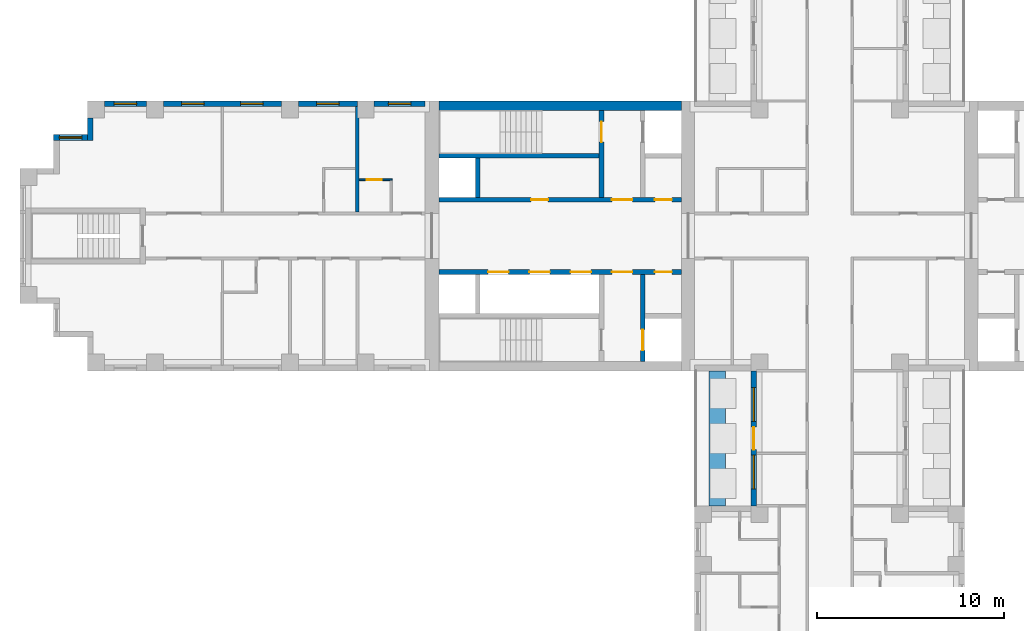
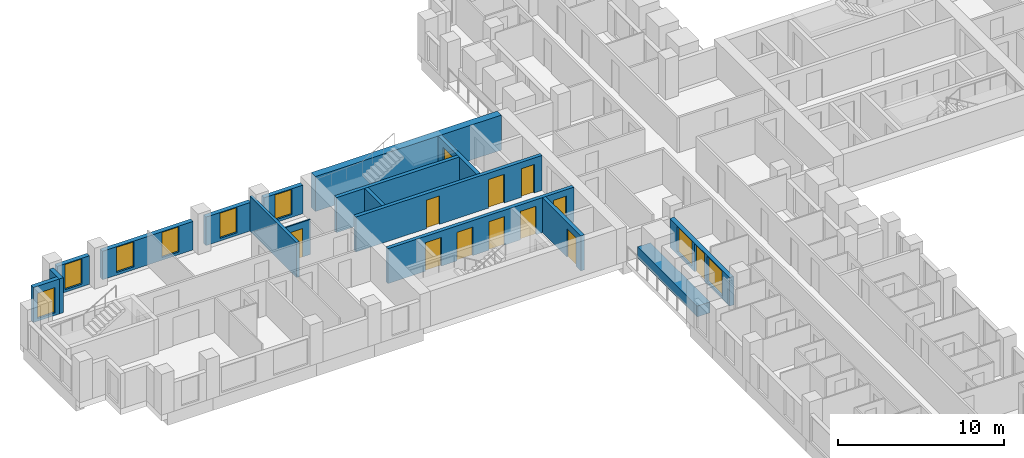
# One storey, part 7 of 14: 17 walls, 12 doors, 8 windows, 20 openings.
"""IFC4 building model written with IfcOpenShell, lengths in metres."""

from ifc_helpers import new_model, si_unit, direction, frame, frame_2d, origin, place, context, subcontext, project, spatial, rectangle, extrude, material, layer, layer_set, type_object, element, fill, save


model = new_model("IFC4")

# Units and contexts
model_context = context("Model", 3, precision=1e-05, world=origin(), true_north=direction((0.0, 1.0)))
body_context = subcontext(model_context, "Body", "Model", "MODEL_VIEW")
ifc_project = project(units=[si_unit("LENGTHUNIT", "METRE"), si_unit("AREAUNIT", "SQUARE_METRE"), si_unit("VOLUMEUNIT", "CUBIC_METRE"), si_unit("PLANEANGLEUNIT", "RADIAN"), si_unit("MASSUNIT", "GRAM", prefix="KILO")], contexts=[model_context])

# Site, building, storey
site_placement = place(None, origin())
site = spatial("IfcSite", under=ifc_project, at=site_placement, CompositionType="ELEMENT")
building_placement = place(site_placement, origin())
building = spatial("IfcBuilding", under=site, at=building_placement, Name="Fustian Cross Tower", CompositionType="ELEMENT")
storey_placement = place(building_placement, frame((0.0, 0.0, 69.89990234375)))
storey = spatial("IfcBuildingStorey", under=building, at=storey_placement, Name="L21", CompositionType="ELEMENT", Elevation=69.89990234375)

# Wall
ifc_material_1 = material(Name="Concrete C70/85", Category="concrete")
ifc_layer_1 = layer(ifc_material_1, 0.5)
ifc_layer_set_1 = layer_set([ifc_layer_1], Name="Concrete C70/85")
wall_type_1 = type_object("IfcWallType", Name="CORE FACADE WALL 500 C70/85", PredefinedType="SHEAR", material=ifc_layer_set_1)
wall_1_placement = place(storey_placement, frame((-7.89990234375, 6.949951171875, 0.0), z_axis=(0.0, 0.0, 1.0), x_axis=(-1.0, 0.0, 0.0)))
element("IfcWall", 1, at=wall_1_placement, inside=storey, type_object=wall_type_1, Name="Core facade wall", PredefinedType="SHEAR", context=body_context, shape_type="SweptSolid", body=[
    extrude(rectangle(XDim=12.9501953125, YDim=0.5, at=frame_2d((6.47509765625, 0.0))), origin(), (0.0, 0.0, 1.0), 2.5751953125),
])

# Wall, openings, doors
ifc_material_2 = material(Name="Concrete C50/60", Category="concrete")
ifc_layer_2 = layer(ifc_material_2, 0.25)
ifc_layer_set_2 = layer_set([ifc_layer_2], Name="Concrete C50/60")
wall_type_2 = type_object("IfcWallType", Name="CORE LOBBY WALL 250 C50/60", PredefinedType="SHEAR", material=ifc_layer_set_2)
wall_2_placement = place(storey_placement, frame((-7.89990234375, 1.925048828125, 0.0), z_axis=(0.0, 0.0, 1.0), x_axis=(-1.0, 0.0, 0.0)))
wall_2 = element("IfcWall", 2, at=wall_2_placement, inside=storey, type_object=wall_type_2, Name="Core lobby wall", PredefinedType="SHEAR", context=body_context, shape_type="SweptSolid", body=[
    extrude(rectangle(XDim=12.9501953125, YDim=0.25, at=frame_2d((6.47509765625, 0.0))), origin(), (0.0, 0.0, 1.0), 2.5751953125),
])
opening_1_placement = place(wall_2_placement, frame((0.52490234375, 0.0, 0.0)))
opening_1 = element("IfcOpeningElement", 3, at=opening_1_placement, cuts=wall_2, Name="Opening CD-09-22", PredefinedType="OPENING", context=body_context, shape_type="SweptSolid", body=[
    extrude(rectangle(XDim=0.89990234375, YDim=2.10009765625, at=frame_2d((0.449951171875, 1.050048828125))), frame((0.0, 0.135009765625, 0.0), z_axis=(0.0, -1.0, 0.0), x_axis=(1.0, 0.0, 0.0)), (0.0, 0.0, 1.0), 0.27001953125),
])
opening_2_placement = place(wall_2_placement, frame((2.625, 0.0, 0.0)))
opening_2 = element("IfcOpeningElement", 4, at=opening_2_placement, cuts=wall_2, Name="Opening CD-09-24", PredefinedType="OPENING", context=body_context, shape_type="SweptSolid", body=[
    extrude(rectangle(XDim=1.10009765625, YDim=2.10009765625, at=frame_2d((0.550048828125, 1.050048828125))), frame((0.0, 0.135009765625, 0.0), z_axis=(0.0, -1.0, 0.0), x_axis=(1.0, 0.0, 0.0)), (0.0, 0.0, 1.0), 0.27001953125),
])
opening_3_placement = place(wall_2_placement, frame((7.125, 0.0, 0.0)))
opening_3 = element("IfcOpeningElement", 5, at=opening_3_placement, cuts=wall_2, Name="Opening CD-09-28", PredefinedType="OPENING", context=body_context, shape_type="SweptSolid", body=[
    extrude(rectangle(XDim=0.89990234375, YDim=2.10009765625, at=frame_2d((0.449951171875, 1.050048828125))), frame((0.0, 0.135009765625, 0.0), z_axis=(0.0, -1.0, 0.0), x_axis=(1.0, 0.0, 0.0)), (0.0, 0.0, 1.0), 0.27001953125),
])
ifc_material_3 = material(Name="Steel", Category="steel")
door_type_1 = type_object("IfcDoorType", Name="FIRE DOOR FD30S 900X2100", OperationType="SINGLE_SWING_LEFT", PredefinedType="DOOR", material=ifc_material_3)
door_1_placement = place(opening_3_placement, frame((0.89990234375, 0.0, 0.0), z_axis=(0.0, 0.0, 1.0), x_axis=(-1.0, 0.0, 0.0)))
door_1 = element("IfcDoor", 6, at=door_1_placement, inside=storey, type_object=door_type_1, Name="Core door CD-09-28", OperationType="SINGLE_SWING_RIGHT", OverallHeight=2.10009765625, OverallWidth=0.89990234375, PredefinedType="DOOR", context=body_context, shape_type="SweptSolid", body=[
    extrude(rectangle(XDim=0.89990234375, YDim=2.10009765625, at=frame_2d((0.449951171875, 1.050048828125))), frame((0.0, 0.02490234375, 0.0), z_axis=(0.0, -1.0, 0.0), x_axis=(1.0, 0.0, 0.0)), (0.0, 0.0, 1.0), 0.050048828125),
])
fill(opening_3, door_1)
ifc_material_4 = material(Name="Steel", Category="steel")
door_type_2 = type_object("IfcDoorType", Name="FIRE DOOR FD60S 1100X2100", OperationType="SINGLE_SWING_LEFT", PredefinedType="DOOR", material=ifc_material_4)
door_2_placement = place(opening_2_placement, frame((1.10009765625, 0.0, 0.0), z_axis=(0.0, 0.0, 1.0), x_axis=(-1.0, 0.0, 0.0)))
door_2 = element("IfcDoor", 7, at=door_2_placement, inside=storey, type_object=door_type_2, Name="Core door CD-09-24", OperationType="SINGLE_SWING_RIGHT", OverallHeight=2.10009765625, OverallWidth=1.10009765625, PredefinedType="DOOR", context=body_context, shape_type="SweptSolid", body=[
    extrude(rectangle(XDim=1.10009765625, YDim=2.10009765625, at=frame_2d((0.550048828125, 1.050048828125))), frame((0.0, 0.02490234375, 0.0), z_axis=(0.0, -1.0, 0.0), x_axis=(1.0, 0.0, 0.0)), (0.0, 0.0, 1.0), 0.050048828125),
])
fill(opening_2, door_2)
ifc_material_5 = material(Name="Steel", Category="steel")
door_type_3 = type_object("IfcDoorType", Name="FIRE DOOR FD60S 900X2100", OperationType="SINGLE_SWING_LEFT", PredefinedType="DOOR", material=ifc_material_5)
door_3_placement = place(opening_1_placement, frame((0.89990234375, 0.0, 0.0), z_axis=(0.0, 0.0, 1.0), x_axis=(-1.0, 0.0, 0.0)))
door_3 = element("IfcDoor", 8, at=door_3_placement, inside=storey, type_object=door_type_3, Name="Core door CD-09-22", OperationType="SINGLE_SWING_RIGHT", OverallHeight=2.10009765625, OverallWidth=0.89990234375, PredefinedType="DOOR", context=body_context, shape_type="SweptSolid", body=[
    extrude(rectangle(XDim=0.89990234375, YDim=2.10009765625, at=frame_2d((0.449951171875, 1.050048828125))), frame((0.0, 0.02490234375, 0.0), z_axis=(0.0, -1.0, 0.0), x_axis=(1.0, 0.0, 0.0)), (0.0, 0.0, 1.0), 0.050048828125),
])
fill(opening_1, door_3)

wall_3_placement = place(storey_placement, frame((-7.89990234375, -1.925048828125, 0.0), z_axis=(0.0, 0.0, 1.0), x_axis=(-1.0, 0.0, 0.0)))
wall_3 = element("IfcWall", 9, at=wall_3_placement, inside=storey, type_object=wall_type_2, Name="Core lobby wall", PredefinedType="SHEAR", context=body_context, shape_type="SweptSolid", body=[
    extrude(rectangle(XDim=12.9501953125, YDim=0.25, at=frame_2d((6.47509765625, 0.0))), origin(), (0.0, 0.0, 1.0), 2.5751953125),
])
opening_4_placement = place(wall_3_placement, frame((4.824951171875, 0.0, 0.0)))
opening_4 = element("IfcOpeningElement", 10, at=opening_4_placement, cuts=wall_3, Name="Opening LD", PredefinedType="OPENING", context=body_context, shape_type="SweptSolid", body=[
    extrude(rectangle(XDim=1.10009765625, YDim=2.10009765625, at=frame_2d((0.550048828125, 1.050048828125))), frame((0.0, 0.135009765625, 0.0), z_axis=(0.0, -1.0, 0.0), x_axis=(1.0, 0.0, 0.0)), (0.0, 0.0, 1.0), 0.27001953125),
])
opening_5_placement = place(wall_3_placement, frame((7.02490234375, 0.0, 0.0)))
opening_5 = element("IfcOpeningElement", 11, at=opening_5_placement, cuts=wall_3, Name="Opening LD", PredefinedType="OPENING", context=body_context, shape_type="SweptSolid", body=[
    extrude(rectangle(XDim=1.10009765625, YDim=2.10009765625, at=frame_2d((0.550048828125, 1.050048828125))), frame((0.0, 0.135009765625, 0.0), z_axis=(0.0, -1.0, 0.0), x_axis=(1.0, 0.0, 0.0)), (0.0, 0.0, 1.0), 0.27001953125),
])
opening_6_placement = place(wall_3_placement, frame((9.22509765625, 0.0, 0.0)))
opening_6 = element("IfcOpeningElement", 12, at=opening_6_placement, cuts=wall_3, Name="Opening LD", PredefinedType="OPENING", context=body_context, shape_type="SweptSolid", body=[
    extrude(rectangle(XDim=1.10009765625, YDim=2.10009765625, at=frame_2d((0.550048828125, 1.050048828125))), frame((0.0, 0.135009765625, 0.0), z_axis=(0.0, -1.0, 0.0), x_axis=(1.0, 0.0, 0.0)), (0.0, 0.0, 1.0), 0.27001953125),
])
opening_7_placement = place(wall_3_placement, frame((0.52490234375, 0.0, 0.0)))
opening_7 = element("IfcOpeningElement", 13, at=opening_7_placement, cuts=wall_3, Name="Opening CD-09-23", PredefinedType="OPENING", context=body_context, shape_type="SweptSolid", body=[
    extrude(rectangle(XDim=0.89990234375, YDim=2.10009765625, at=frame_2d((0.449951171875, 1.050048828125))), frame((0.0, 0.135009765625, 0.0), z_axis=(0.0, -1.0, 0.0), x_axis=(1.0, 0.0, 0.0)), (0.0, 0.0, 1.0), 0.27001953125),
])
opening_8_placement = place(wall_3_placement, frame((2.625, 0.0, 0.0)))
opening_8 = element("IfcOpeningElement", 14, at=opening_8_placement, cuts=wall_3, Name="Opening CD-09-25", PredefinedType="OPENING", context=body_context, shape_type="SweptSolid", body=[
    extrude(rectangle(XDim=1.10009765625, YDim=2.10009765625, at=frame_2d((0.550048828125, 1.050048828125))), frame((0.0, 0.135009765625, 0.0), z_axis=(0.0, -1.0, 0.0), x_axis=(1.0, 0.0, 0.0)), (0.0, 0.0, 1.0), 0.27001953125),
])
ifc_material_6 = material(Name="Steel", Category="steel")
door_type_4 = type_object("IfcDoorType", Name="FIRE DOOR FD30S 1100X2100", OperationType="SINGLE_SWING_LEFT", PredefinedType="DOOR", material=ifc_material_6)
door_4_placement = place(opening_8_placement, frame((1.10009765625, 0.0, 0.0), z_axis=(0.0, 0.0, 1.0), x_axis=(-1.0, 0.0, 0.0)))
door_4 = element("IfcDoor", 15, at=door_4_placement, inside=storey, type_object=door_type_4, Name="Core door CD-09-25", OperationType="SINGLE_SWING_RIGHT", OverallHeight=2.10009765625, OverallWidth=1.10009765625, PredefinedType="DOOR", context=body_context, shape_type="SweptSolid", body=[
    extrude(rectangle(XDim=1.10009765625, YDim=2.10009765625, at=frame_2d((0.550048828125, 1.050048828125))), frame((0.0, 0.02490234375, 0.0), z_axis=(0.0, -1.0, 0.0), x_axis=(1.0, 0.0, 0.0)), (0.0, 0.0, 1.0), 0.050048828125),
])
fill(opening_8, door_4)
door_5_placement = place(opening_7_placement, origin())
door_5 = element("IfcDoor", 16, at=door_5_placement, inside=storey, type_object=door_type_1, Name="Core door CD-09-23", OperationType="SINGLE_SWING_LEFT", OverallHeight=2.10009765625, OverallWidth=0.89990234375, PredefinedType="DOOR", context=body_context, shape_type="SweptSolid", body=[
    extrude(rectangle(XDim=0.89990234375, YDim=2.10009765625, at=frame_2d((0.449951171875, 1.050048828125))), frame((0.0, 0.02490234375, 0.0), z_axis=(0.0, -1.0, 0.0), x_axis=(1.0, 0.0, 0.0)), (0.0, 0.0, 1.0), 0.050048828125),
])
fill(opening_7, door_5)
ifc_material_7 = material(Name="Stainless steel", Category="steel")
door_type_5 = type_object("IfcDoorType", Name="LIFT LANDING DOOR 1100X2100", OperationType="SLIDING_TO_LEFT", PredefinedType="DOOR", material=ifc_material_7)
door_6_placement = place(opening_4_placement, origin())
door_6 = element("IfcDoor", 17, at=door_6_placement, inside=storey, type_object=door_type_5, Name="Landing door LR1W", OperationType="SLIDING_TO_LEFT", OverallHeight=2.10009765625, OverallWidth=1.10009765625, PredefinedType="DOOR", context=body_context, shape_type="SweptSolid", body=[
    extrude(rectangle(XDim=1.10009765625, YDim=2.10009765625, at=frame_2d((0.550048828125, 1.050048828125))), frame((0.0, 0.02490234375, 0.0), z_axis=(0.0, -1.0, 0.0), x_axis=(1.0, 0.0, 0.0)), (0.0, 0.0, 1.0), 0.050048828125),
])
fill(opening_4, door_6)
door_7_placement = place(opening_5_placement, origin())
door_7 = element("IfcDoor", 18, at=door_7_placement, inside=storey, type_object=door_type_5, Name="Landing door LR2W", OperationType="SLIDING_TO_LEFT", OverallHeight=2.10009765625, OverallWidth=1.10009765625, PredefinedType="DOOR", context=body_context, shape_type="SweptSolid", body=[
    extrude(rectangle(XDim=1.10009765625, YDim=2.10009765625, at=frame_2d((0.550048828125, 1.050048828125))), frame((0.0, 0.02490234375, 0.0), z_axis=(0.0, -1.0, 0.0), x_axis=(1.0, 0.0, 0.0)), (0.0, 0.0, 1.0), 0.050048828125),
])
fill(opening_5, door_7)
door_8_placement = place(opening_6_placement, origin())
door_8 = element("IfcDoor", 19, at=door_8_placement, inside=storey, type_object=door_type_5, Name="Landing door LR3W", OperationType="SLIDING_TO_LEFT", OverallHeight=2.10009765625, OverallWidth=1.10009765625, PredefinedType="DOOR", context=body_context, shape_type="SweptSolid", body=[
    extrude(rectangle(XDim=1.10009765625, YDim=2.10009765625, at=frame_2d((0.550048828125, 1.050048828125))), frame((0.0, 0.02490234375, 0.0), z_axis=(0.0, -1.0, 0.0), x_axis=(1.0, 0.0, 0.0)), (0.0, 0.0, 1.0), 0.050048828125),
])
fill(opening_6, door_8)

# Wall
ifc_material_8 = material(Name="Concrete C50/60", Category="concrete")
ifc_layer_3 = layer(ifc_material_8, 0.25)
ifc_layer_set_3 = layer_set([ifc_layer_3], Name="Concrete C50/60")
wall_type_3 = type_object("IfcWallType", Name="CORE SHAFT WALL 250 C50/60", PredefinedType="SHEAR", material=ifc_layer_set_3)
wall_4_placement = place(storey_placement, frame((-12.300048828125, 4.27490234375, 0.0), z_axis=(0.0, 0.0, 1.0), x_axis=(-1.0, 0.0, 0.0)))
element("IfcWall", 20, at=wall_4_placement, inside=storey, type_object=wall_type_3, Name="Core shaft wall", PredefinedType="SHEAR", context=body_context, shape_type="SweptSolid", body=[
    extrude(rectangle(XDim=8.550048828125, YDim=0.25, at=frame_2d((4.27490234375, 0.0))), origin(), (0.0, 0.0, 1.0), 2.5751953125),
])

# Wall, opening, door
wall_5_placement = place(storey_placement, frame((-12.175048828125, 2.050048828125, 0.0), z_axis=(0.0, 0.0, 1.0), x_axis=(0.0, 1.0, 0.0)))
wall_5 = element("IfcWall", 21, at=wall_5_placement, inside=storey, type_object=wall_type_3, Name="Core shaft wall", PredefinedType="SHEAR", context=body_context, shape_type="SweptSolid", body=[
    extrude(rectangle(XDim=4.64990234375, YDim=0.25, at=frame_2d((2.324951171875, 0.0))), origin(), (0.0, 0.0, 1.0), 2.5751953125),
])
opening_9_placement = place(wall_5_placement, frame((2.949951171875, 0.0, 0.0)))
opening_9 = element("IfcOpeningElement", 22, at=opening_9_placement, cuts=wall_5, Name="Opening CD-09-20", PredefinedType="OPENING", context=body_context, shape_type="SweptSolid", body=[
    extrude(rectangle(XDim=1.10009765625, YDim=2.10009765625, at=frame_2d((0.550048828125, 1.050048828125))), frame((0.0, 0.135009765625, 0.0), z_axis=(0.0, -1.0, 0.0), x_axis=(1.0, 0.0, 0.0)), (0.0, 0.0, 1.0), 0.27001953125),
])
door_9_placement = place(opening_9_placement, origin())
door_9 = element("IfcDoor", 23, at=door_9_placement, inside=storey, type_object=door_type_2, Name="Core door CD-09-20", OperationType="SINGLE_SWING_LEFT", OverallHeight=2.10009765625, OverallWidth=1.10009765625, PredefinedType="DOOR", context=body_context, shape_type="SweptSolid", body=[
    extrude(rectangle(XDim=1.10009765625, YDim=2.10009765625, at=frame_2d((0.550048828125, 1.050048828125))), frame((0.0, 0.02490234375, 0.0), z_axis=(0.0, -1.0, 0.0), x_axis=(1.0, 0.0, 0.0)), (0.0, 0.0, 1.0), 0.050048828125),
])
fill(opening_9, door_9)

wall_6_placement = place(storey_placement, frame((-9.97509765625, -2.050048828125, 0.0), z_axis=(0.0, 0.0, 1.0), x_axis=(0.0, -1.0, 0.0)))
wall_6 = element("IfcWall", 24, at=wall_6_placement, inside=storey, type_object=wall_type_3, Name="Core shaft wall", PredefinedType="SHEAR", context=body_context, shape_type="SweptSolid", body=[
    extrude(rectangle(XDim=4.64990234375, YDim=0.25, at=frame_2d((2.324951171875, 0.0))), origin(), (0.0, 0.0, 1.0), 2.5751953125),
])
opening_10_placement = place(wall_6_placement, frame((2.949951171875, 0.0, 0.0)))
opening_10 = element("IfcOpeningElement", 25, at=opening_10_placement, cuts=wall_6, Name="Opening LD", PredefinedType="OPENING", context=body_context, shape_type="SweptSolid", body=[
    extrude(rectangle(XDim=1.10009765625, YDim=2.10009765625, at=frame_2d((0.550048828125, 1.050048828125))), frame((0.0, 0.135009765625, 0.0), z_axis=(0.0, -1.0, 0.0), x_axis=(1.0, 0.0, 0.0)), (0.0, 0.0, 1.0), 0.27001953125),
])
door_10_placement = place(opening_10_placement, origin())
door_10 = element("IfcDoor", 26, at=door_10_placement, inside=storey, type_object=door_type_5, Name="Landing door SV1W", OperationType="SLIDING_TO_LEFT", OverallHeight=2.10009765625, OverallWidth=1.10009765625, PredefinedType="DOOR", context=body_context, shape_type="SweptSolid", body=[
    extrude(rectangle(XDim=1.10009765625, YDim=2.10009765625, at=frame_2d((0.550048828125, 1.050048828125))), frame((0.0, 0.02490234375, 0.0), z_axis=(0.0, -1.0, 0.0), x_axis=(1.0, 0.0, 0.0)), (0.0, 0.0, 1.0), 0.050048828125),
])
fill(opening_10, door_10)

ifc_material_9 = material(Name="Plasterboard on steel stud", Category="steel")
ifc_layer_4 = layer(ifc_material_9, 0.10009765625)
ifc_layer_set_4 = layer_set([ifc_layer_4], Name="Plasterboard on steel stud")
wall_type_4 = type_object("IfcWallType", Name="PARTITION 100 STUD", PredefinedType="PARTITIONING", material=ifc_layer_set_4)
wall_7_placement = place(storey_placement, frame((-25.10009765625, 3.0, 0.0), z_axis=(0.0, 0.0, 1.0), x_axis=(1.0, 0.0, 0.0)))
wall_7 = element("IfcWall", 27, at=wall_7_placement, inside=storey, type_object=wall_type_4, Name="Partition 14", PredefinedType="PARTITIONING", context=body_context, shape_type="SweptSolid", body=[
    extrude(rectangle(XDim=1.75, YDim=0.10009765625, at=frame_2d((0.875, 0.0))), origin(), (0.0, 0.0, 1.0), 2.5751953125),
])
opening_11_placement = place(wall_7_placement, frame((0.39990234375, 0.0, 0.0)))
opening_11 = element("IfcOpeningElement", 28, at=opening_11_placement, cuts=wall_7, Name="Opening D11031", PredefinedType="OPENING", context=body_context, shape_type="SweptSolid", body=[
    extrude(rectangle(XDim=0.800048828125, YDim=2.10009765625, at=frame_2d((0.39990234375, 1.050048828125))), frame((0.0, 0.06005859375, 0.0), z_axis=(0.0, -1.0, 0.0), x_axis=(1.0, 0.0, 0.0)), (0.0, 0.0, 1.0), 0.1201171875),
])
ifc_material_10 = material(Name="Painted timber", Category="wood")
door_type_6 = type_object("IfcDoorType", Name="SWING DOOR 800", OperationType="SINGLE_SWING_LEFT", PredefinedType="DOOR", material=ifc_material_10)
door_11_placement = place(opening_11_placement, frame((0.800048828125, 0.0, 0.0), z_axis=(0.0, 0.0, 1.0), x_axis=(-1.0, 0.0, 0.0)))
door_11 = element("IfcDoor", 29, at=door_11_placement, inside=storey, type_object=door_type_6, Name="Door D11031", OperationType="SINGLE_SWING_LEFT", OverallHeight=2.10009765625, OverallWidth=0.800048828125, PredefinedType="DOOR", context=body_context, shape_type="SweptSolid", body=[
    extrude(rectangle(XDim=0.800048828125, YDim=2.10009765625, at=frame_2d((0.39990234375, 1.050048828125))), frame((0.0, 0.02490234375, 0.0), z_axis=(0.0, -1.0, 0.0), x_axis=(1.0, 0.0, 0.0)), (0.0, 0.0, 1.0), 0.050048828125),
])
fill(opening_11, door_11)

# Walls
ifc_material_11 = material(Name="Plasterboard on steel stud", Category="steel")
ifc_layer_5 = layer(ifc_material_11, 0.199951171875)
ifc_layer_set_5 = layer_set([ifc_layer_5], Name="Plasterboard on steel stud")
wall_type_5 = type_object("IfcWallType", Name="PARTY WALL 200 EI 60", PredefinedType="PARTITIONING", material=ifc_layer_set_5)
wall_8_placement = place(storey_placement, frame((-25.199951171875, 1.27490234375, 0.0), z_axis=(0.0, 0.0, 1.0), x_axis=(0.0, 1.0, 0.0)))
element("IfcWall", 30, at=wall_8_placement, inside=storey, type_object=wall_type_5, Name="Partition 13", PredefinedType="PARTITIONING", context=body_context, shape_type="SweptSolid", body=[
    extrude(rectangle(XDim=5.625, YDim=0.199951171875, at=frame_2d((2.8125, 0.0))), origin(), (0.0, 0.0, 1.0), 2.5751953125),
])
ifc_material_12 = material(Name="Concrete C40/50", Category="concrete")
ifc_layer_6 = layer(ifc_material_12, 0.89990234375)
ifc_layer_set_6 = layer_set([ifc_layer_6], Name="Concrete C40/50")
wall_type_6 = type_object("IfcWallType", Name="PK1 PLANTER 900", PredefinedType="PARAPET", material=ifc_layer_set_6)
wall_9_placement = place(storey_placement, frame((-6.0, -14.39990234375, 0.0), z_axis=(0.0, 0.0, 1.0), x_axis=(0.0, 1.0, 0.0)))
element("IfcWall", 31, at=wall_9_placement, inside=storey, type_object=wall_type_6, Name="PLANTER", PredefinedType="PARAPET", context=body_context, shape_type="SweptSolid", body=[
    extrude(rectangle(XDim=7.199951171875, YDim=0.89990234375, at=frame_2d((3.60009765625, 0.0))), origin(), (0.0, 0.0, 1.0), 0.800048828125),
])
ifc_material_13 = material(Name="Concrete C40/50", Category="concrete")
ifc_layer_7 = layer(ifc_material_13, 0.25)
ifc_layer_set_7 = layer_set([ifc_layer_7], Name="Concrete C40/50")
wall_type_7 = type_object("IfcWallType", Name="SHAFT PARTITION WALL 250 C40/50", PredefinedType="PARTITIONING", material=ifc_layer_set_7)
wall_10_placement = place(storey_placement, frame((-18.77490234375, 2.050048828125, 0.0), z_axis=(0.0, 0.0, 1.0), x_axis=(0.0, 1.0, 0.0)))
element("IfcWall", 32, at=wall_10_placement, inside=storey, type_object=wall_type_7, Name="Core shaft wall", PredefinedType="PARTITIONING", context=body_context, shape_type="SweptSolid", body=[
    extrude(rectangle(XDim=2.099853515625, YDim=0.25, at=frame_2d((1.0498046875, 0.0))), origin(), (0.0, 0.0, 1.0), 2.5751953125),
])

# Wall, opening, window
ifc_material_14 = material(Name="Dark aluminium cladding on insulated backing wall", Category="aluminium")
ifc_layer_8 = layer(ifc_material_14, 0.300048828125)
ifc_layer_set_8 = layer_set([ifc_layer_8], Name="Dark aluminium cladding on insulated backing wall")
wall_type_8 = type_object("IfcWallType", Name="XW1 EXTERNAL WALL 300", PredefinedType="SOLIDWALL", material=ifc_layer_set_8)
wall_11_placement = place(storey_placement, frame((-21.60009765625, 7.050048828125, 0.0), z_axis=(0.0, 0.0, 1.0), x_axis=(-1.0, 0.0, 0.0)))
wall_11 = element("IfcWall", 33, at=wall_11_placement, inside=storey, type_object=wall_type_8, Name="External wall", PredefinedType="SOLIDWALL", context=body_context, shape_type="SweptSolid", body=[
    extrude(rectangle(XDim=2.699951171875, YDim=0.300048828125, at=frame_2d((1.35009765625, 0.0))), origin(), (0.0, 0.0, 1.0), 2.10009765625),
])
opening_12_placement = place(wall_11_placement, frame((0.75, 0.0, 0.199951171875)))
opening_12 = element("IfcOpeningElement", 34, at=opening_12_placement, cuts=wall_11, Name="Opening WN3", PredefinedType="OPENING", context=body_context, shape_type="SweptSolid", body=[
    extrude(rectangle(XDim=1.199951171875, YDim=1.85009765625, at=frame_2d((0.60009765625, 0.925048828125))), frame((0.0, 0.159912109375, 0.0), z_axis=(0.0, -1.0, 0.0), x_axis=(1.0, 0.0, 0.0)), (0.0, 0.0, 1.0), 0.320068359375),
])
ifc_material_15 = material(Name="Dark anodised aluminium and double glazing", Category="aluminium")
window_type_1 = type_object("IfcWindowType", Name="WN3 WINDOW 1200X1850", PartitioningType="SINGLE_PANEL", PredefinedType="WINDOW", material=ifc_material_15)
window_1_placement = place(opening_12_placement, origin())
window_1 = element("IfcWindow", 35, at=window_1_placement, inside=storey, type_object=window_type_1, Name="Window", OverallHeight=1.85009765625, OverallWidth=1.199951171875, PartitioningType="SINGLE_PANEL", PredefinedType="WINDOW", context=body_context, shape_type="SweptSolid", body=[
    extrude(rectangle(XDim=1.199951171875, YDim=1.85009765625, at=frame_2d((0.60009765625, 0.925048828125))), frame((0.0, 0.030029296875, 0.0), z_axis=(0.0, -1.0, 0.0), x_axis=(1.0, 0.0, 0.0)), (0.0, 0.0, 1.0), 0.06005859375),
])
fill(opening_12, window_1)

wall_12_placement = place(storey_placement, frame((-25.199951171875, 7.050048828125, 0.0), z_axis=(0.0, 0.0, 1.0), x_axis=(-1.0, 0.0, 0.0)))
wall_12 = element("IfcWall", 36, at=wall_12_placement, inside=storey, type_object=wall_type_8, Name="External wall", PredefinedType="SOLIDWALL", context=body_context, shape_type="SweptSolid", body=[
    extrude(rectangle(XDim=3.150146484375, YDim=0.300048828125, at=frame_2d((1.5751953125, 0.0))), origin(), (0.0, 0.0, 1.0), 2.10009765625),
])
opening_13_placement = place(wall_12_placement, frame((0.97509765625, 0.0, 0.199951171875)))
opening_13 = element("IfcOpeningElement", 37, at=opening_13_placement, cuts=wall_12, Name="Opening WN3", PredefinedType="OPENING", context=body_context, shape_type="SweptSolid", body=[
    extrude(rectangle(XDim=1.199951171875, YDim=1.85009765625, at=frame_2d((0.60009765625, 0.925048828125))), frame((0.0, 0.159912109375, 0.0), z_axis=(0.0, -1.0, 0.0), x_axis=(1.0, 0.0, 0.0)), (0.0, 0.0, 1.0), 0.320068359375),
])
window_2_placement = place(opening_13_placement, origin())
window_2 = element("IfcWindow", 38, at=window_2_placement, inside=storey, type_object=window_type_1, Name="Window", OverallHeight=1.85009765625, OverallWidth=1.199951171875, PartitioningType="SINGLE_PANEL", PredefinedType="WINDOW", context=body_context, shape_type="SweptSolid", body=[
    extrude(rectangle(XDim=1.199951171875, YDim=1.85009765625, at=frame_2d((0.60009765625, 0.925048828125))), frame((0.0, 0.030029296875, 0.0), z_axis=(0.0, -1.0, 0.0), x_axis=(1.0, 0.0, 0.0)), (0.0, 0.0, 1.0), 0.06005859375),
])
fill(opening_13, window_2)

# Wall, openings, windows
wall_13_placement = place(storey_placement, frame((-29.25, 7.050048828125, 0.0), z_axis=(0.0, 0.0, 1.0), x_axis=(-1.0, 0.0, 0.0)))
wall_13 = element("IfcWall", 39, at=wall_13_placement, inside=storey, type_object=wall_type_8, Name="External wall", PredefinedType="SOLIDWALL", context=body_context, shape_type="SweptSolid", body=[
    extrude(rectangle(XDim=6.300048828125, YDim=0.300048828125, at=frame_2d((3.14990234375, 0.0))), origin(), (0.0, 0.0, 1.0), 2.10009765625),
])
opening_14_placement = place(wall_13_placement, frame((0.97509765625, 0.0, 0.199951171875)))
opening_14 = element("IfcOpeningElement", 40, at=opening_14_placement, cuts=wall_13, Name="Opening WN3", PredefinedType="OPENING", context=body_context, shape_type="SweptSolid", body=[
    extrude(rectangle(XDim=1.199951171875, YDim=1.85009765625, at=frame_2d((0.60009765625, 0.925048828125))), frame((0.0, 0.159912109375, 0.0), z_axis=(0.0, -1.0, 0.0), x_axis=(1.0, 0.0, 0.0)), (0.0, 0.0, 1.0), 0.320068359375),
])
opening_15_placement = place(wall_13_placement, frame((4.125, 0.0, 0.199951171875)))
opening_15 = element("IfcOpeningElement", 41, at=opening_15_placement, cuts=wall_13, Name="Opening WN3", PredefinedType="OPENING", context=body_context, shape_type="SweptSolid", body=[
    extrude(rectangle(XDim=1.199951171875, YDim=1.85009765625, at=frame_2d((0.60009765625, 0.925048828125))), frame((0.0, 0.159912109375, 0.0), z_axis=(0.0, -1.0, 0.0), x_axis=(1.0, 0.0, 0.0)), (0.0, 0.0, 1.0), 0.320068359375),
])
window_3_placement = place(opening_14_placement, origin())
window_3 = element("IfcWindow", 42, at=window_3_placement, inside=storey, type_object=window_type_1, Name="Window", OverallHeight=1.85009765625, OverallWidth=1.199951171875, PartitioningType="SINGLE_PANEL", PredefinedType="WINDOW", context=body_context, shape_type="SweptSolid", body=[
    extrude(rectangle(XDim=1.199951171875, YDim=1.85009765625, at=frame_2d((0.60009765625, 0.925048828125))), frame((0.0, 0.030029296875, 0.0), z_axis=(0.0, -1.0, 0.0), x_axis=(1.0, 0.0, 0.0)), (0.0, 0.0, 1.0), 0.06005859375),
])
fill(opening_14, window_3)
window_4_placement = place(opening_15_placement, origin())
window_4 = element("IfcWindow", 43, at=window_4_placement, inside=storey, type_object=window_type_1, Name="Window", OverallHeight=1.85009765625, OverallWidth=1.199951171875, PartitioningType="SINGLE_PANEL", PredefinedType="WINDOW", context=body_context, shape_type="SweptSolid", body=[
    extrude(rectangle(XDim=1.199951171875, YDim=1.85009765625, at=frame_2d((0.60009765625, 0.925048828125))), frame((0.0, 0.030029296875, 0.0), z_axis=(0.0, -1.0, 0.0), x_axis=(1.0, 0.0, 0.0)), (0.0, 0.0, 1.0), 0.06005859375),
])
fill(opening_15, window_4)

# Wall, opening, window
wall_14_placement = place(storey_placement, frame((-36.449951171875, 7.050048828125, 0.0), z_axis=(0.0, 0.0, 1.0), x_axis=(-1.0, 0.0, 0.0)))
wall_14 = element("IfcWall", 44, at=wall_14_placement, inside=storey, type_object=wall_type_8, Name="External wall", PredefinedType="SOLIDWALL", context=body_context, shape_type="SweptSolid", body=[
    extrude(rectangle(XDim=2.25, YDim=0.300048828125, at=frame_2d((1.125, 0.0))), origin(), (0.0, 0.0, 1.0), 2.10009765625),
])
opening_16_placement = place(wall_14_placement, frame((0.52490234375, 0.0, 0.199951171875)))
opening_16 = element("IfcOpeningElement", 45, at=opening_16_placement, cuts=wall_14, Name="Opening WN3", PredefinedType="OPENING", context=body_context, shape_type="SweptSolid", body=[
    extrude(rectangle(XDim=1.199951171875, YDim=1.85009765625, at=frame_2d((0.60009765625, 0.925048828125))), frame((0.0, 0.159912109375, 0.0), z_axis=(0.0, -1.0, 0.0), x_axis=(1.0, 0.0, 0.0)), (0.0, 0.0, 1.0), 0.320068359375),
])
window_5_placement = place(opening_16_placement, origin())
window_5 = element("IfcWindow", 46, at=window_5_placement, inside=storey, type_object=window_type_1, Name="Window", OverallHeight=1.85009765625, OverallWidth=1.199951171875, PartitioningType="SINGLE_PANEL", PredefinedType="WINDOW", context=body_context, shape_type="SweptSolid", body=[
    extrude(rectangle(XDim=1.199951171875, YDim=1.85009765625, at=frame_2d((0.60009765625, 0.925048828125))), frame((0.0, 0.030029296875, 0.0), z_axis=(0.0, -1.0, 0.0), x_axis=(1.0, 0.0, 0.0)), (0.0, 0.0, 1.0), 0.06005859375),
])
fill(opening_16, window_5)

# Wall
wall_15_placement = place(storey_placement, frame((-39.449951171875, 6.300048828125, 0.0), z_axis=(0.0, 0.0, 1.0), x_axis=(0.0, -1.0, 0.0)))
element("IfcWall", 47, at=wall_15_placement, inside=storey, type_object=wall_type_8, Name="External wall", PredefinedType="SOLIDWALL", context=body_context, shape_type="SweptSolid", body=[
    extrude(rectangle(XDim=1.199951171875, YDim=0.300048828125, at=frame_2d((0.60009765625, 0.0))), origin(), (0.0, 0.0, 1.0), 2.5751953125),
])

# Wall, opening, window
wall_16_placement = place(storey_placement, frame((-39.60009765625, 5.25, 0.0), z_axis=(0.0, 0.0, 1.0), x_axis=(-1.0, 0.0, 0.0)))
wall_16 = element("IfcWall", 48, at=wall_16_placement, inside=storey, type_object=wall_type_8, Name="External wall", PredefinedType="SOLIDWALL", context=body_context, shape_type="SweptSolid", body=[
    extrude(rectangle(XDim=1.7998046875, YDim=0.300048828125, at=frame_2d((0.89990234375, 0.0))), origin(), (0.0, 0.0, 1.0), 2.5751953125),
])
opening_17_placement = place(wall_16_placement, frame((0.300048828125, 0.0, 0.199951171875)))
opening_17 = element("IfcOpeningElement", 49, at=opening_17_placement, cuts=wall_16, Name="Opening WN3", PredefinedType="OPENING", context=body_context, shape_type="SweptSolid", body=[
    extrude(rectangle(XDim=1.199951171875, YDim=1.85009765625, at=frame_2d((0.60009765625, 0.925048828125))), frame((0.0, 0.159912109375, 0.0), z_axis=(0.0, -1.0, 0.0), x_axis=(1.0, 0.0, 0.0)), (0.0, 0.0, 1.0), 0.320068359375),
])
window_6_placement = place(opening_17_placement, origin())
window_6 = element("IfcWindow", 50, at=window_6_placement, inside=storey, type_object=window_type_1, Name="Window", OverallHeight=1.85009765625, OverallWidth=1.199951171875, PartitioningType="SINGLE_PANEL", PredefinedType="WINDOW", context=body_context, shape_type="SweptSolid", body=[
    extrude(rectangle(XDim=1.199951171875, YDim=1.85009765625, at=frame_2d((0.60009765625, 0.925048828125))), frame((0.0, 0.030029296875, 0.0), z_axis=(0.0, -1.0, 0.0), x_axis=(1.0, 0.0, 0.0)), (0.0, 0.0, 1.0), 0.06005859375),
])
fill(opening_17, window_6)

# Wall, openings, door, windows
wall_17_placement = place(storey_placement, frame((-4.050048828125, -7.199951171875, 0.0), z_axis=(0.0, 0.0, 1.0), x_axis=(0.0, -1.0, 0.0)))
wall_17 = element("IfcWall", 51, at=wall_17_placement, inside=storey, type_object=wall_type_8, Name="External wall", PredefinedType="SOLIDWALL", context=body_context, shape_type="SweptSolid", body=[
    extrude(rectangle(XDim=7.199951171875, YDim=0.300048828125, at=frame_2d((3.60009765625, 0.0))), origin(), (0.0, 0.0, 1.0), 2.10009765625),
])
opening_18_placement = place(wall_17_placement, frame((3.0, 0.0, 0.0)))
opening_18 = element("IfcOpeningElement", 52, at=opening_18_placement, cuts=wall_17, Name="Opening XD4", PredefinedType="OPENING", context=body_context, shape_type="SweptSolid", body=[
    extrude(rectangle(XDim=1.199951171875, YDim=2.050048828125, at=frame_2d((0.60009765625, 1.02490234375))), frame((0.0, 0.159912109375, 0.0), z_axis=(0.0, -1.0, 0.0), x_axis=(1.0, 0.0, 0.0)), (0.0, 0.0, 1.0), 0.320068359375),
])
opening_19_placement = place(wall_17_placement, frame((0.89990234375, 0.0, 0.199951171875)))
opening_19 = element("IfcOpeningElement", 53, at=opening_19_placement, cuts=wall_17, Name="Opening WN2", PredefinedType="OPENING", context=body_context, shape_type="SweptSolid", body=[
    extrude(rectangle(XDim=1.800048828125, YDim=1.85009765625, at=frame_2d((0.89990234375, 0.925048828125))), frame((0.0, 0.159912109375, 0.0), z_axis=(0.0, -1.0, 0.0), x_axis=(1.0, 0.0, 0.0)), (0.0, 0.0, 1.0), 0.320068359375),
])
opening_20_placement = place(wall_17_placement, frame((4.5, 0.0, 0.199951171875)))
opening_20 = element("IfcOpeningElement", 54, at=opening_20_placement, cuts=wall_17, Name="Opening WN2", PredefinedType="OPENING", context=body_context, shape_type="SweptSolid", body=[
    extrude(rectangle(XDim=1.800048828125, YDim=1.85009765625, at=frame_2d((0.89990234375, 0.925048828125))), frame((0.0, 0.159912109375, 0.0), z_axis=(0.0, -1.0, 0.0), x_axis=(1.0, 0.0, 0.0)), (0.0, 0.0, 1.0), 0.320068359375),
])
ifc_material_16 = material(Name="Dark anodised aluminium and double glazing", Category="aluminium")
door_type_7 = type_object("IfcDoorType", Name="ED1 BALCONY DOOR 1200X2050", OperationType="SINGLE_SWING_LEFT", PredefinedType="DOOR", material=ifc_material_16)
door_12_placement = place(opening_18_placement, origin())
door_12 = element("IfcDoor", 55, at=door_12_placement, inside=storey, type_object=door_type_7, Name="Balcony door", OperationType="SINGLE_SWING_LEFT", OverallHeight=2.050048828125, OverallWidth=1.199951171875, PredefinedType="DOOR", context=body_context, shape_type="SweptSolid", body=[
    extrude(rectangle(XDim=1.199951171875, YDim=2.050048828125, at=frame_2d((0.60009765625, 1.02490234375))), frame((0.0, 0.02490234375, 0.0), z_axis=(0.0, -1.0, 0.0), x_axis=(1.0, 0.0, 0.0)), (0.0, 0.0, 1.0), 0.050048828125),
])
fill(opening_18, door_12)
ifc_material_17 = material(Name="Dark anodised aluminium and double glazing", Category="aluminium")
window_type_2 = type_object("IfcWindowType", Name="WN2 WINDOW 1800X1850", PartitioningType="SINGLE_PANEL", PredefinedType="WINDOW", material=ifc_material_17)
window_7_placement = place(opening_19_placement, origin())
window_7 = element("IfcWindow", 56, at=window_7_placement, inside=storey, type_object=window_type_2, Name="Window", OverallHeight=1.85009765625, OverallWidth=1.800048828125, PartitioningType="SINGLE_PANEL", PredefinedType="WINDOW", context=body_context, shape_type="SweptSolid", body=[
    extrude(rectangle(XDim=1.800048828125, YDim=1.85009765625, at=frame_2d((0.89990234375, 0.925048828125))), frame((0.0, 0.030029296875, 0.0), z_axis=(0.0, -1.0, 0.0), x_axis=(1.0, 0.0, 0.0)), (0.0, 0.0, 1.0), 0.06005859375),
])
fill(opening_19, window_7)
window_8_placement = place(opening_20_placement, origin())
window_8 = element("IfcWindow", 57, at=window_8_placement, inside=storey, type_object=window_type_2, Name="Window", OverallHeight=1.85009765625, OverallWidth=1.800048828125, PartitioningType="SINGLE_PANEL", PredefinedType="WINDOW", context=body_context, shape_type="SweptSolid", body=[
    extrude(rectangle(XDim=1.800048828125, YDim=1.85009765625, at=frame_2d((0.89990234375, 0.925048828125))), frame((0.0, 0.030029296875, 0.0), z_axis=(0.0, -1.0, 0.0), x_axis=(1.0, 0.0, 0.0)), (0.0, 0.0, 1.0), 0.06005859375),
])
fill(opening_20, window_8)

save(model, "model.ifc")
